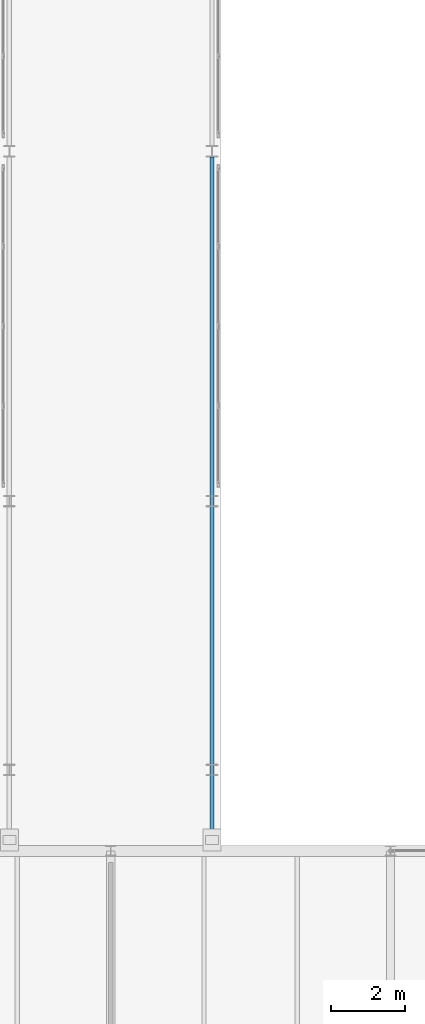
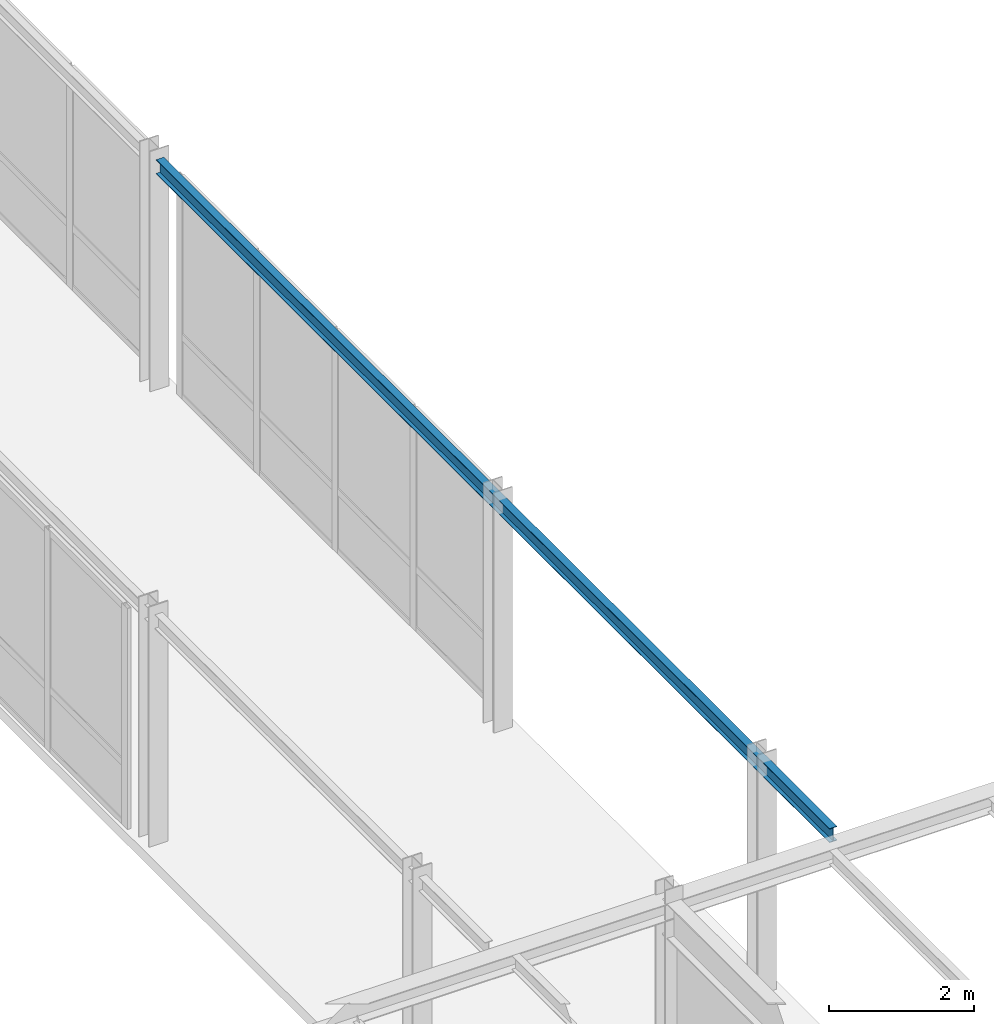
# One storey, part 41 of 165: 1 beam.
"""IFC4 building model written with IfcOpenShell, lengths in metres."""

from ifc_helpers import new_model, si_unit, direction, frame, origin, origin_2d, place, context, subcontext, project, spatial, i_section, extrude, material, material_profile, profile_set, type_object, element, save


model = new_model("IFC4")

# Units and contexts
model_context = context("Model", 3, precision=1e-05, world=origin(), true_north=direction((0.0, 1.0)))
body_context = subcontext(model_context, "Body", "Model", "MODEL_VIEW")
ifc_project = project(units=[si_unit("LENGTHUNIT", "METRE"), si_unit("AREAUNIT", "SQUARE_METRE"), si_unit("VOLUMEUNIT", "CUBIC_METRE"), si_unit("PLANEANGLEUNIT", "RADIAN"), si_unit("MASSUNIT", "GRAM", prefix="KILO")], contexts=[model_context])

# Site, building, storey
site_placement = place(None, origin())
site = spatial("IfcSite", under=ifc_project, at=site_placement, CompositionType="ELEMENT")
building_placement = place(site_placement, origin())
building = spatial("IfcBuilding", under=site, at=building_placement, Name="Montecoro Central Library", CompositionType="ELEMENT")
storey_placement = place(building_placement, frame((0.0, 0.0, 5.10009765625)))
storey = spatial("IfcBuildingStorey", under=building, at=storey_placement, Name="L01", CompositionType="ELEMENT", Elevation=5.10009765625)

# Beam
ifc_material = material(Name="Steel S355", Category="steel")
ifc_material_profile = material_profile(ifc_material, i_section(OverallWidth=0.1201171875, OverallDepth=0.239990234375, WebThickness=0.006103515625, FlangeThickness=0.009765625, at=origin_2d()), Name="IPE 240")
ifc_profile_set = profile_set([ifc_material_profile], Name="Steel S355")
beam_type = type_object("IfcBeamType", Name="BM-SP-IPE240", PredefinedType="SPANDREL", material=ifc_profile_set)
beam_placement = place(storey_placement, frame((30.550048828125, 35.6201171875, 3.77490234375), z_axis=(0.0, 1.0, 0.0), x_axis=(-1.0, 0.0, 0.0)))
element("IfcBeam", 1, at=beam_placement, inside=storey, type_object=beam_type, Name="BR-W-L02-BM-E1", PredefinedType="SPANDREL", context=body_context, shape_type="SweptSolid", body=[
    extrude(i_section(OverallWidth=0.1201171875, OverallDepth=0.239990234375, WebThickness=0.006103515625, FlangeThickness=0.009765625, at=origin_2d()), origin(), (0.0, 0.0, 1.0), 18.619873046875),
])

save(model, "model.ifc")
